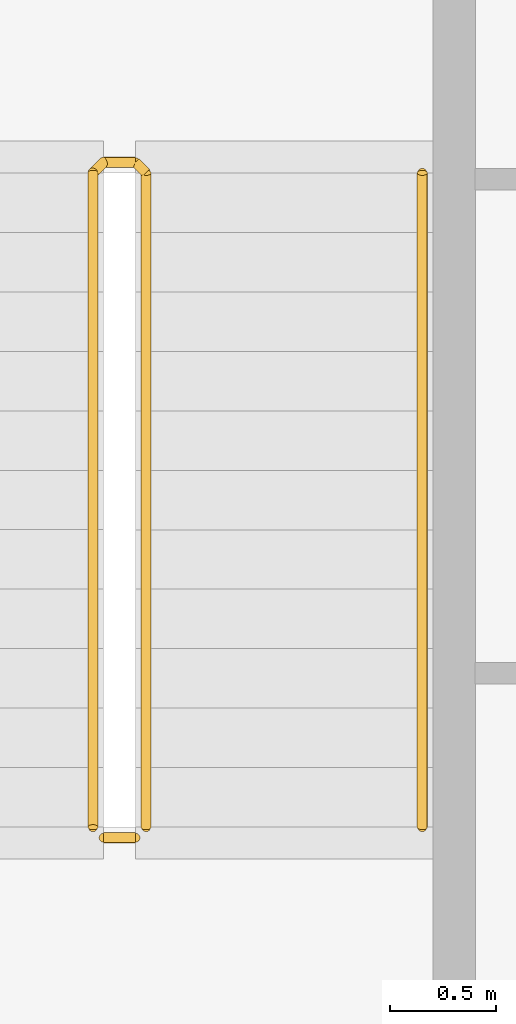
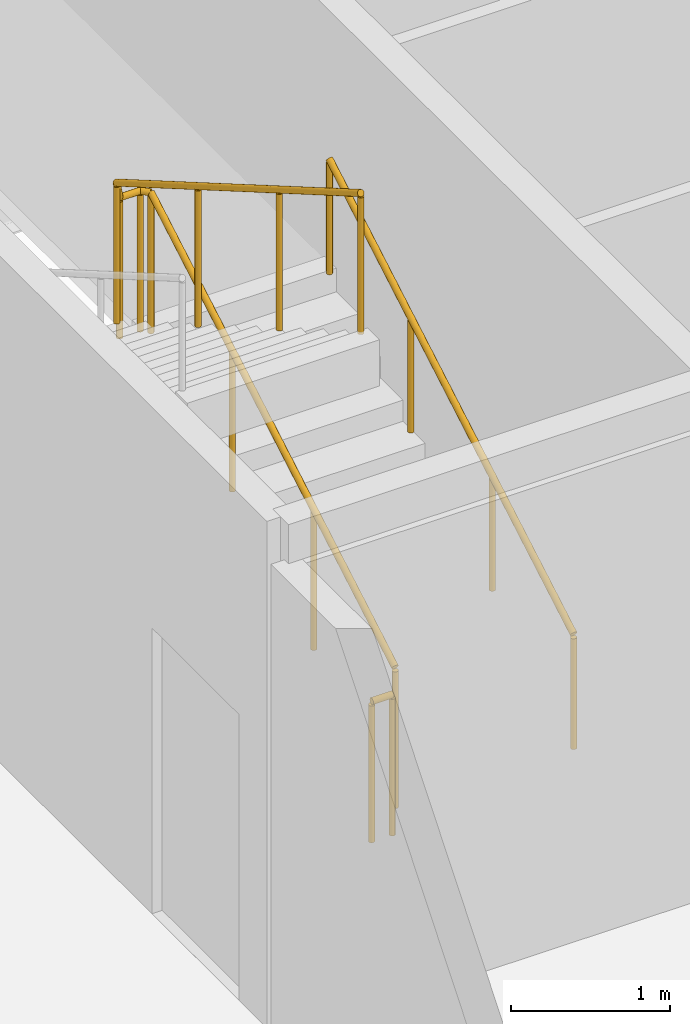
# One storey, part 28 of 29: 3 railings.
"""IFC4 building model written with IfcOpenShell, lengths in metres."""

from ifc_helpers import new_model, si_unit, direction, frame, origin, origin_2d, place, context, subcontext, project, spatial, circle, extrude, material, type_object, element, save


model = new_model("IFC4")

# Units and contexts
model_context = context("Model", 3, precision=1e-05, world=origin(), true_north=direction((0.0, 1.0)))
body_context = subcontext(model_context, "Body", "Model", "MODEL_VIEW")
ifc_project = project(units=[si_unit("LENGTHUNIT", "METRE"), si_unit("AREAUNIT", "SQUARE_METRE"), si_unit("VOLUMEUNIT", "CUBIC_METRE"), si_unit("PLANEANGLEUNIT", "RADIAN"), si_unit("MASSUNIT", "GRAM", prefix="KILO")], contexts=[model_context])

# Site, building, storey
site_placement = place(None, origin())
site = spatial("IfcSite", under=ifc_project, at=site_placement, CompositionType="ELEMENT")
building_placement = place(site_placement, origin())
building = spatial("IfcBuilding", under=site, at=building_placement, Name="Kheshtan School and Residences Tower", CompositionType="ELEMENT")
storey_placement = place(building_placement, frame((0.0, 0.0, 69.5)))
storey = spatial("IfcBuildingStorey", under=building, at=storey_placement, Name="L16", CompositionType="ELEMENT", Elevation=69.5)

# Railings
ifc_material_1 = material(Name="Stainless steel balustrade", Category="steel")
railing_type_1 = type_object("IfcRailingType", Name="Stair guard 1100", PredefinedType="GUARDRAIL", material=ifc_material_1)
railing_1_placement = place(storey_placement, frame((35.0, 80.89990234375, 0.16259765625)))
element("IfcRailing", 1, at=railing_1_placement, inside=storey, type_object=railing_type_1, Name="L16 ST3 stair guard 1", PredefinedType="GUARDRAIL", context=body_context, shape_type="SweptSolid", body=[
    extrude(circle(Radius=0.02392578125, at=origin_2d()), frame((0.0, 0.0, 1.076171875), z_axis=(0.0, 0.864920483161, 0.501908913857), x_axis=(-1.0, 0.0, 0.0)), (0.0, 0.0, 1.0), 3.56103515625),
    extrude(circle(Radius=0.02392578125, at=origin_2d()), frame((0.0, 3.080078125, 2.86328125), z_axis=(-0.707106781187, 0.707106781187, 0.0), x_axis=(-0.707106781187, -0.707106781187, 0.0)), (0.0, 0.0, 1.0), 0.07080078125),
    extrude(circle(Radius=0.02392578125, at=origin_2d()), frame((-0.050048828125, 3.130126953125, 2.86328125), z_axis=(-1.0, 0.0, 0.0), x_axis=(0.0, -1.0, 0.0)), (0.0, 0.0, 1.0), 0.14990234375),
    extrude(circle(Radius=0.02392578125, at=origin_2d()), frame((-0.199951171875, 3.130126953125, 2.86328125), z_axis=(-0.282227285176, -0.282227285176, 0.916894497205), x_axis=(0.707106781187, -0.707106781187, 0.0)), (0.0, 0.0, 1.0), 0.17724609375),
    extrude(circle(Radius=0.02392578125, at=origin_2d()), frame((-0.25, 3.080078125, 3.02587890625), z_axis=(0.0, -0.864920483161, 0.501908913857), x_axis=(1.0, 0.0, 0.0)), (0.0, 0.0, 1.0), 3.56103515625),
    extrude(circle(Radius=0.02099609375, at=origin_2d()), origin(), (0.0, 0.0, 1.0), 1.052001953125),
    extrude(circle(Radius=0.02099609375, at=origin_2d()), frame((0.0, 1.026611328125, 0.595703125)), (0.0, 0.0, 1.0), 1.052001953125),
    extrude(circle(Radius=0.02099609375, at=origin_2d()), frame((0.0, 2.053466796875, 1.191650390625)), (0.0, 0.0, 1.0), 1.052001953125),
    extrude(circle(Radius=0.02099609375, at=origin_2d()), frame((0.0, 3.080078125, 1.787353515625)), (0.0, 0.0, 1.0), 1.052001953125),
    extrude(circle(Radius=0.02099609375, at=origin_2d()), frame((-0.050048828125, 3.130126953125, 1.787353515625)), (0.0, 0.0, 1.0), 1.052001953125),
    extrude(circle(Radius=0.02099609375, at=origin_2d()), frame((-0.199951171875, 3.130126953125, 1.787353515625)), (0.0, 0.0, 1.0), 1.052001953125),
    extrude(circle(Radius=0.02099609375, at=origin_2d()), frame((-0.25, 3.080078125, 1.949951171875)), (0.0, 0.0, 1.0), 1.052001953125),
    extrude(circle(Radius=0.02099609375, at=origin_2d()), frame((-0.25, 2.053466796875, 2.545654296875)), (0.0, 0.0, 1.0), 1.052001953125),
    extrude(circle(Radius=0.02099609375, at=origin_2d()), frame((-0.25, 1.026611328125, 3.1416015625)), (0.0, 0.0, 1.0), 1.052001953125),
    extrude(circle(Radius=0.02099609375, at=origin_2d()), frame((-0.25, 0.0, 3.7373046875)), (0.0, 0.0, 1.0), 1.052001953125),
])
railing_2_placement = place(storey_placement, frame((34.949951171875, 80.85009765625, 0.0)))
element("IfcRailing", 2, at=railing_2_placement, inside=storey, type_object=railing_type_1, Name="L16 ST3 stair guard 2", PredefinedType="GUARDRAIL", context=body_context, shape_type="SweptSolid", body=[
    extrude(circle(Radius=0.02392578125, at=origin_2d()), frame((0.0, 0.0, 1.076171875), z_axis=(-1.0, 0.0, 0.0), x_axis=(0.0, -1.0, 0.0)), (0.0, 0.0, 1.0), 0.14990234375),
    extrude(circle(Radius=0.02099609375, at=origin_2d()), origin(), (0.0, 0.0, 1.0), 1.052001953125),
    extrude(circle(Radius=0.02099609375, at=origin_2d()), frame((-0.14990234375, 0.0, 0.0)), (0.0, 0.0, 1.0), 1.052001953125),
])
ifc_material_2 = material(Name="Stainless steel handrail", Category="steel")
railing_type_2 = type_object("IfcRailingType", Name="Stair handrail 900", PredefinedType="HANDRAIL", material=ifc_material_2)
railing_3_placement = place(storey_placement, frame((36.300048828125, 80.89990234375, 0.16259765625)))
element("IfcRailing", 3, at=railing_3_placement, inside=storey, type_object=railing_type_2, Name="L16 ST3 stair handrail 1", PredefinedType="HANDRAIL", context=body_context, shape_type="SweptSolid", body=[
    extrude(circle(Radius=0.02392578125, at=origin_2d()), frame((0.0, 0.0, 0.8759765625), z_axis=(0.0, 0.864920483161, 0.501908913857), x_axis=(-1.0, 0.0, 0.0)), (0.0, 0.0, 1.0), 3.56103515625),
    extrude(circle(Radius=0.02099609375, at=origin_2d()), origin(), (0.0, 0.0, 1.0), 0.851806640625),
    extrude(circle(Radius=0.02099609375, at=origin_2d()), frame((0.0, 1.026611328125, 0.595703125)), (0.0, 0.0, 1.0), 0.851806640625),
    extrude(circle(Radius=0.02099609375, at=origin_2d()), frame((0.0, 2.053466796875, 1.191650390625)), (0.0, 0.0, 1.0), 0.851806640625),
    extrude(circle(Radius=0.02099609375, at=origin_2d()), frame((0.0, 3.080078125, 1.787353515625)), (0.0, 0.0, 1.0), 0.851806640625),
])

save(model, "model.ifc")
